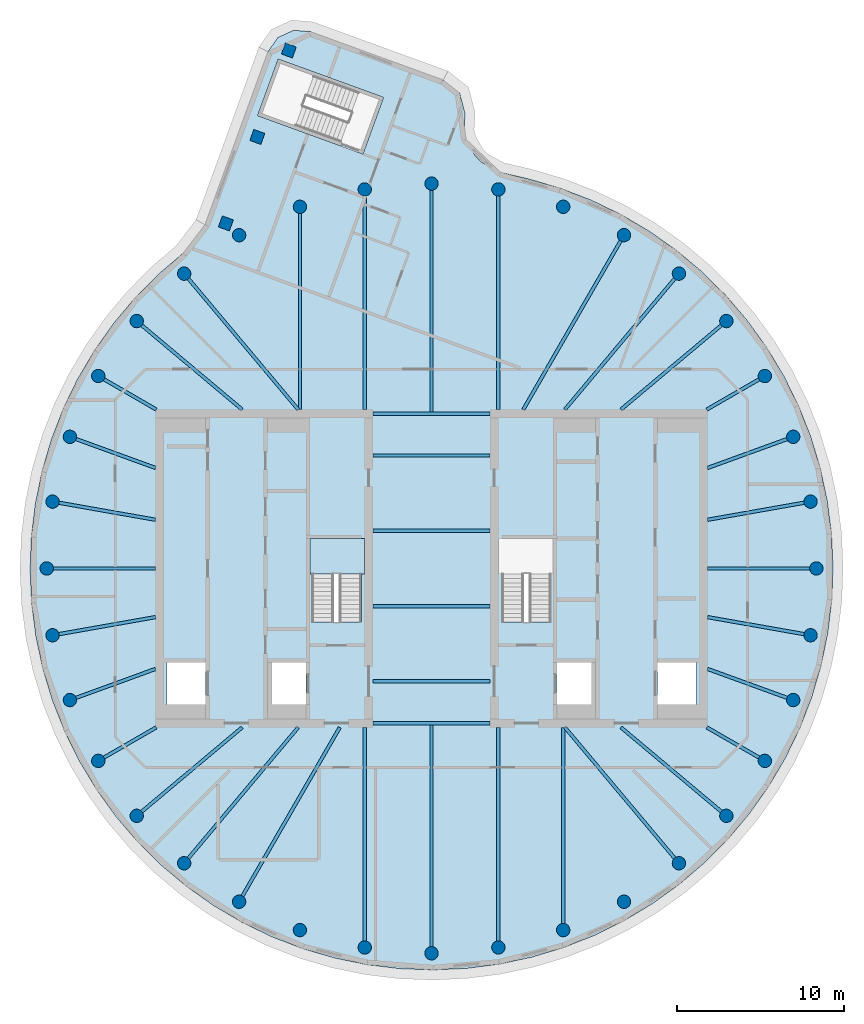
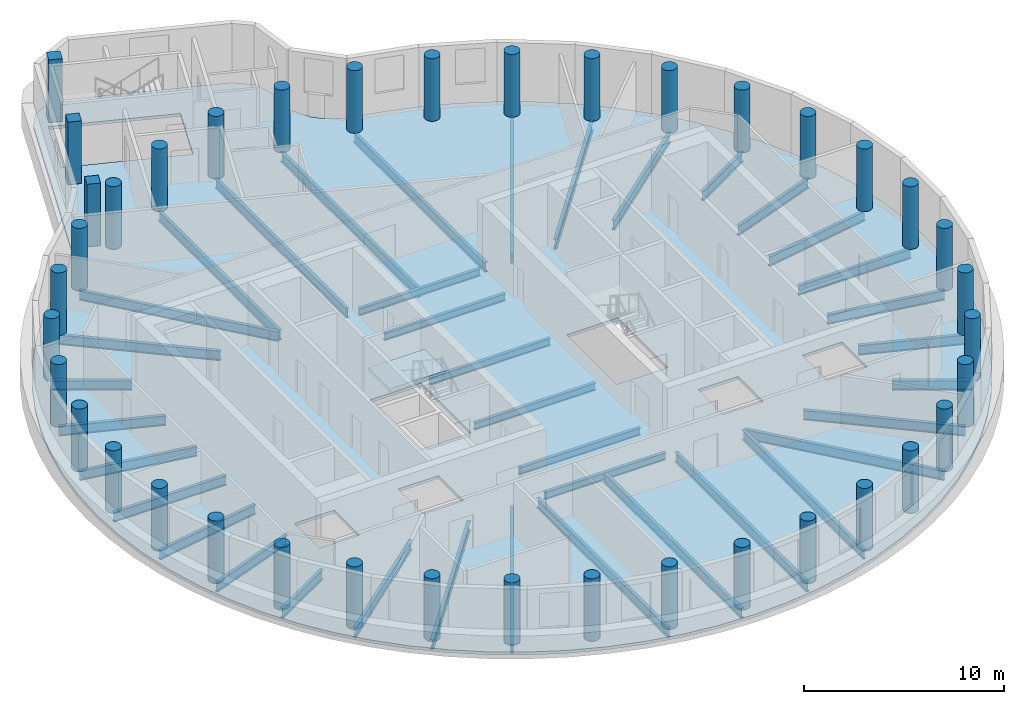
# One storey, part 1 of 7: 39 columns, 38 beams, 2 slabs, 1 element without a shape of its own.
"""IFC4 building model written with IfcOpenShell, lengths in metres."""

import ifcopenshell
import ifcopenshell.guid

model = None  # the IFC model being written
_history = None  # IfcOwnerHistory: only IFC2X3 demands one
_inside = {}  # id of a spatial element -> (the spatial element, [elements in it])
_under = {}  # id of a project, library or spatial element -> (it, [spatial elements below it])
_declared = {}  # id of a project -> (the project, [libraries it declares])
_typed = {}  # id of a type object -> (the type object, [elements of that type])
_made_of = {}  # id of a material, layer set ... -> (it, [elements and type objects made of it])


def new_model(schema):
    """Start an empty IFC model of exactly this schema.

    Asked for "IFC4X3", IfcOpenShell would pick the latest addendum, in which some entities
    have other attributes; the version numbers below select the first issue.
    IFC2X3 requires an IfcOwnerHistory on every rooted entity: one is made here for all.
    """
    global model, _history
    if schema == "IFC4X3":
        model = ifcopenshell.file(schema_version=(4, 3, 0, 0))
    else:
        model = ifcopenshell.file(schema=schema)
    _inside.clear()
    _under.clear()
    _declared.clear()
    _typed.clear()
    _made_of.clear()
    _history = None
    if model.schema == "IFC2X3":
        org = make("IfcOrganization", Name="unknown")
        user = make(
            "IfcPersonAndOrganization",
            ThePerson=make("IfcPerson", FamilyName="unknown"),
            TheOrganization=org,
        )
        app = make(
            "IfcApplication",
            ApplicationDeveloper=org,
            Version="unknown",
            ApplicationFullName="unknown",
            ApplicationIdentifier="unknown",
        )
        _history = make(
            "IfcOwnerHistory",
            OwningUser=user,
            OwningApplication=app,
            ChangeAction="ADDED",
            CreationDate=0,
        )
    return model


def make(cls, **values):
    """One entity of the class cls with the attributes given. An attribute that is None is left unset."""
    return model.create_entity(
        cls, **{name: value for name, value in values.items() if value is not None}
    )


def rooted(cls, **values):
    """An entity with a GlobalId (a new one), such as an element, a storey or a relation."""
    return make(cls, GlobalId=ifcopenshell.guid.new(), OwnerHistory=_history, **values)


def si_unit(unit_type, name, prefix=None):
    """IfcSIUnit, for example si_unit("LENGTHUNIT", "METRE", prefix="MILLI")."""
    return make("IfcSIUnit", UnitType=unit_type, Prefix=prefix, Name=name)


def assignment(units):
    """IfcUnitAssignment: the units of a project."""
    return None if units is None else make("IfcUnitAssignment", Units=units)


def point(xyz):
    """IfcCartesianPoint."""
    return None if xyz is None else make("IfcCartesianPoint", Coordinates=xyz)


def direction(xyz):
    """IfcDirection."""
    return None if xyz is None else make("IfcDirection", DirectionRatios=xyz)


def frame(location, z_axis=None, x_axis=None):
    """IfcAxis2Placement3D, a coordinate frame: its origin and axes. An axis left out is left unset."""
    return make(
        "IfcAxis2Placement3D",
        Location=point(location),
        Axis=direction(z_axis),
        RefDirection=direction(x_axis),
    )


def frame_2d(location, x_axis=None):
    """IfcAxis2Placement2D, a coordinate frame in the plane: its origin and x axis."""
    return make(
        "IfcAxis2Placement2D", Location=point(location), RefDirection=direction(x_axis)
    )


def origin():
    """The frame at (0, 0, 0) with its axes left unset."""
    return frame((0.0, 0.0, 0.0))


def origin_2d():
    """The frame at (0, 0) in the plane with its x axis left unset."""
    return frame_2d((0.0, 0.0))


def place(relative_to, where):
    """IfcLocalPlacement: puts the frame where relative to a parent placement (None: the world)."""
    return make(
        "IfcLocalPlacement", PlacementRelTo=relative_to, RelativePlacement=where
    )


def context(
    kind, dimensions, precision=None, world=None, true_north=None, identifier=None
):
    """IfcGeometricRepresentationContext, for example the 3D "Model" context."""
    return make(
        "IfcGeometricRepresentationContext",
        ContextIdentifier=identifier,
        ContextType=kind,
        CoordinateSpaceDimension=dimensions,
        Precision=precision,
        WorldCoordinateSystem=world,
        TrueNorth=true_north,
    )


def subcontext(parent, identifier, kind, view, scale=None):
    """IfcGeometricRepresentationSubContext, for example "Body" below "Model"."""
    return make(
        "IfcGeometricRepresentationSubContext",
        ContextIdentifier=identifier,
        ContextType=kind,
        ParentContext=parent,
        TargetScale=scale,
        TargetView=view,
    )


def project(units=None, contexts=None):
    """IfcProject with its units and contexts."""
    return rooted(
        "IfcProject",
        Name="project",
        RepresentationContexts=contexts,
        UnitsInContext=assignment(units),
    )


def spatial(cls, under=None, at=None, **own):
    """A site, building, storey or space (cls), placed at a placement, below another one or the project."""
    s = rooted(cls, ObjectPlacement=at, **own)
    if under is not None:
        _under.setdefault(under.id(), (under, []))[1].append(s)
    return s


def polyline(points):
    """IfcPolyline through the points."""
    return make("IfcPolyline", Points=[point(p) for p in points])


def profile(cls, at=None, kind="AREA", **sizes):
    """A parametric profile (cls). Its sizes go by their IFC names, for example OverallWidth=200.0."""
    return make(cls, ProfileType=kind, Position=at, **sizes)


def rectangle(**sizes):
    """IfcRectangleProfileDef."""
    return profile("IfcRectangleProfileDef", **sizes)


def circle(**sizes):
    """IfcCircleProfileDef."""
    return profile("IfcCircleProfileDef", **sizes)


def i_section(**sizes):
    """IfcIShapeProfileDef."""
    return profile("IfcIShapeProfileDef", **sizes)


def outline(outer, holes=None, kind="AREA"):
    """IfcArbitraryClosedProfileDef: a profile drawn as a closed curve; with holes, ...WithVoids."""
    if holes is None:
        return make("IfcArbitraryClosedProfileDef", ProfileType=kind, OuterCurve=outer)
    return make(
        "IfcArbitraryProfileDefWithVoids",
        ProfileType=kind,
        OuterCurve=outer,
        InnerCurves=holes,
    )


def extrude(swept, where, along, depth):
    """IfcExtrudedAreaSolid: the profile swept, set in the frame where, extruded along a direction by depth."""
    return make(
        "IfcExtrudedAreaSolid",
        SweptArea=swept,
        Position=where,
        ExtrudedDirection=direction(along),
        Depth=depth,
    )


def shape(context_of_items, identifier, shape_type, items):
    """IfcShapeRepresentation: the items that make up one representation, for example the "Body"."""
    return make(
        "IfcShapeRepresentation",
        ContextOfItems=context_of_items,
        RepresentationIdentifier=identifier,
        RepresentationType=shape_type,
        Items=items,
    )


def material(Name=None, Category=None):
    """IfcMaterial."""
    return make("IfcMaterial", Name=Name, Category=Category)


def layer(
    of_material, thickness, ventilated=None, Name=None, Category=None, Priority=None
):
    """IfcMaterialLayer: one layer of a wall or slab, of a material (None: an air gap)."""
    return make(
        "IfcMaterialLayer",
        Material=of_material,
        LayerThickness=thickness,
        IsVentilated=ventilated,
        Name=Name,
        Category=Category,
        Priority=Priority,
    )


def layer_set(layers, Name=None):
    """IfcMaterialLayerSet."""
    return make("IfcMaterialLayerSet", MaterialLayers=layers, LayerSetName=Name)


def material_profile(
    of_material, cross_section, Name=None, Category=None, Priority=None
):
    """IfcMaterialProfile: a cross section and its material."""
    return make(
        "IfcMaterialProfile",
        Name=Name,
        Material=of_material,
        Profile=cross_section,
        Priority=Priority,
        Category=Category,
    )


def profile_set(profiles, Name=None, composite=None):
    """IfcMaterialProfileSet."""
    return make(
        "IfcMaterialProfileSet",
        Name=Name,
        MaterialProfiles=profiles,
        CompositeProfile=composite,
    )


def made_of(thing, what):
    """Note that an element or type object is made of a material, layer set ...; save() writes the relation."""
    if what is not None:
        _made_of.setdefault(what.id(), (what, []))[1].append(thing)
    return thing


def type_object(cls, material=None, **own):
    """A type object (cls), such as IfcWallType, which elements share."""
    return made_of(rooted(cls, **own), material)


def element(
    cls,
    number,
    at=None,
    inside=None,
    cuts=None,
    type_object=None,
    material=None,
    context=None,
    identifier="Body",
    shape_type=None,
    held_by="IfcProductDefinitionShape",
    body=None,
    shapes=None,
    **own,
):
    """One element of the class cls, such as IfcWall. Its Tag is "e" and its number.

    at: its placement. inside: the storey or other place that contains it. cuts: it is an
    opening in that element (IfcRelVoidsElement). A single representation is given by context,
    identifier, shape_type and body (its items); several are given by shapes. held_by: the class
    of the entity that holds the representations. save() writes the other relations.
    """
    e = rooted(cls, Tag="e%d" % number, ObjectPlacement=at, **own)
    if body is not None:
        shapes = [shape(context, identifier, shape_type, body)]
    if shapes is not None:
        e.Representation = make(held_by, Representations=shapes)
    if inside is not None:
        _inside.setdefault(inside.id(), (inside, []))[1].append(e)
    if cuts is not None:
        rooted(
            "IfcRelVoidsElement", RelatingBuildingElement=cuts, RelatedOpeningElement=e
        )
    if type_object is not None:
        _typed.setdefault(type_object.id(), (type_object, []))[1].append(e)
    return made_of(e, material)


def aggregate(whole, parts):
    """IfcRelAggregates: a whole, such as a stair, and the parts it consists of."""
    return rooted("IfcRelAggregates", RelatingObject=whole, RelatedObjects=parts)


def save(model, path):
    """Write the relations noted so far, then the file.

    IfcRelAggregates (storeys below a building ...), IfcRelContainedInSpatialStructure (elements
    in a storey), IfcRelDefinesByType, IfcRelAssociatesMaterial and IfcRelDeclares: one each for
    every whole, place, type object, material and project.
    """
    for whole, parts in _under.values():
        aggregate(whole, parts)
    for where, things in _inside.values():
        rooted(
            "IfcRelContainedInSpatialStructure",
            RelatedElements=things,
            RelatingStructure=where,
        )
    for kind, things in _typed.values():
        rooted("IfcRelDefinesByType", RelatedObjects=things, RelatingType=kind)
    for what, things in _made_of.values():
        rooted("IfcRelAssociatesMaterial", RelatedObjects=things, RelatingMaterial=what)
    for by, libraries in _declared.values():
        rooted("IfcRelDeclares", RelatingContext=by, RelatedDefinitions=libraries)
    model.write(path)


model = new_model("IFC4")

# Units and contexts
model_context = context("Model", 3, precision=1e-05, world=origin(), true_north=direction((0.0, 1.0)))
body_context = subcontext(model_context, "Body", "Model", "MODEL_VIEW")
ifc_project = project(units=[si_unit("LENGTHUNIT", "METRE"), si_unit("AREAUNIT", "SQUARE_METRE"), si_unit("VOLUMEUNIT", "CUBIC_METRE"), si_unit("PLANEANGLEUNIT", "RADIAN"), si_unit("MASSUNIT", "GRAM", prefix="KILO")], contexts=[model_context])

# Site, building, storey
site_placement = place(None, origin())
site = spatial("IfcSite", under=ifc_project, at=site_placement, CompositionType="ELEMENT")
building_placement = place(site_placement, origin())
building = spatial("IfcBuilding", under=site, at=building_placement, Name="Tamarind Cross Interchange Tower", CompositionType="ELEMENT")
storey_placement = place(building_placement, frame((0.0, 0.0, 313.39990234375)))
storey = spatial("IfcBuildingStorey", under=building, at=storey_placement, Name="L77", CompositionType="ELEMENT", Elevation=313.39990234375)

# Columns
ifc_material_1 = material(Name="Concrete C45", Category="concrete")
ifc_material_profile_1 = material_profile(ifc_material_1, rectangle(XDim=0.699951171875, YDim=0.699951171875, at=origin_2d()), Name="RC 700x700")
ifc_profile_set_1 = profile_set([ifc_material_profile_1], Name="Concrete C45")
column_type_1 = type_object("IfcColumnType", Name="Column RC 700x700 Concrete C45", PredefinedType="COLUMN", material=ifc_profile_set_1)
for number, where, z_axis, x_axis, name in (
    (1, (-8.530029296875, 30.957275390625, -0.179931640625), (0.0, 0.0, 1.0), (0.341993902024, 0.939702171424, 0.0), "Column L77-047"),
    (2, (-10.4111328125, 25.7890625, -0.179931640625), (0.0, 0.0, 1.0), (0.341993902024, 0.939702171424, 0.0), "Column L77-048"),
    (3, (-12.2919921875, 20.62060546875, -0.179931640625), (0.0, 0.0, 1.0), (0.341993902024, 0.939702171424, 0.0), "Column L77-049"),
):
    element("IfcColumn", number, at=place(storey_placement, frame(where, z_axis=z_axis, x_axis=x_axis)), inside=storey, type_object=column_type_1, Name=name, PredefinedType="COLUMN", context=body_context, shape_type="SweptSolid", body=[
        extrude(rectangle(XDim=0.699951171875, YDim=0.699951171875, at=origin_2d()), origin(), (0.0, 0.0, 1.0), 4.0),
    ])
ifc_material_profile_2 = material_profile(ifc_material_1, circle(Radius=0.39990234375, at=origin_2d()), Name="RC D800")
ifc_profile_set_2 = profile_set([ifc_material_profile_2], Name="Concrete C45")
column_type_2 = type_object("IfcColumnType", Name="Column RC D800 Concrete C45", PredefinedType="COLUMN", material=ifc_profile_set_2)
for number, where, z_axis, x_axis, name in (
    (4, (23.0, 0.0, -0.179931640625), (0.0, 0.0, 1.0), (1.0, 0.0, 0.0), "Column L77-000"),
    (5, (22.650634765625, 3.993896484375, -0.179931640625), (0.0, 0.0, 1.0), (1.0, 0.0, 0.0), "Column L77-001"),
    (6, (21.613037109375, 7.866455078125, -0.179931640625), (0.0, 0.0, 1.0), (1.0, 0.0, 0.0), "Column L77-002"),
    (7, (19.918701171875, 11.5, -0.179931640625), (0.0, 0.0, 1.0), (1.0, 0.0, 0.0), "Column L77-003"),
    (8, (17.619140625, 14.7841796875, -0.179931640625), (0.0, 0.0, 1.0), (1.0, 0.0, 0.0), "Column L77-004"),
    (9, (14.7841796875, 17.619140625, -0.179931640625), (0.0, 0.0, 1.0), (1.0, 0.0, 0.0), "Column L77-005"),
    (10, (11.5, 19.918701171875, -0.179931640625), (0.0, 0.0, 1.0), (1.0, 0.0, 0.0), "Column L77-006"),
    (11, (7.866455078125, 21.613037109375, -0.179931640625), (0.0, 0.0, 1.0), (1.0, 0.0, 0.0), "Column L77-007"),
    (12, (3.993896484375, 22.650634765625, -0.179931640625), (0.0, 0.0, 1.0), (1.0, 0.0, 0.0), "Column L77-008"),
    (13, (0.0, 23.0, -0.179931640625), (0.0, 0.0, 1.0), (1.0, 0.0, 0.0), "Column L77-009"),
    (14, (-3.993896484375, 22.650634765625, -0.179931640625), (0.0, 0.0, 1.0), (1.0, 0.0, 0.0), "Column L77-010"),
    (15, (-7.866455078125, 21.613037109375, -0.179931640625), (0.0, 0.0, 1.0), (1.0, 0.0, 0.0), "Column L77-011"),
    (16, (-11.5, 19.918701171875, -0.179931640625), (0.0, 0.0, 1.0), (1.0, 0.0, 0.0), "Column L77-012"),
    (17, (-14.7841796875, 17.619140625, -0.179931640625), (0.0, 0.0, 1.0), (1.0, 0.0, 0.0), "Column L77-013"),
    (18, (-17.619140625, 14.7841796875, -0.179931640625), (0.0, 0.0, 1.0), (1.0, 0.0, 0.0), "Column L77-014"),
    (19, (-19.918701171875, 11.5, -0.179931640625), (0.0, 0.0, 1.0), (1.0, 0.0, 0.0), "Column L77-015"),
    (20, (-21.613037109375, 7.866455078125, -0.179931640625), (0.0, 0.0, 1.0), (1.0, 0.0, 0.0), "Column L77-016"),
    (21, (-22.650634765625, 3.993896484375, -0.179931640625), (0.0, 0.0, 1.0), (1.0, 0.0, 0.0), "Column L77-017"),
    (22, (-23.0, 0.0, -0.179931640625), (0.0, 0.0, 1.0), (1.0, 0.0, 0.0), "Column L77-018"),
    (23, (-22.650634765625, -3.993896484375, -0.179931640625), (0.0, 0.0, 1.0), (1.0, 0.0, 0.0), "Column L77-019"),
    (24, (-21.613037109375, -7.866455078125, -0.179931640625), (0.0, 0.0, 1.0), (1.0, 0.0, 0.0), "Column L77-020"),
    (25, (-19.918701171875, -11.5, -0.179931640625), (0.0, 0.0, 1.0), (1.0, 0.0, 0.0), "Column L77-021"),
    (26, (-17.619140625, -14.7841796875, -0.179931640625), (0.0, 0.0, 1.0), (1.0, 0.0, 0.0), "Column L77-022"),
    (27, (-14.7841796875, -17.619140625, -0.179931640625), (0.0, 0.0, 1.0), (1.0, 0.0, 0.0), "Column L77-023"),
    (28, (-11.5, -19.918701171875, -0.179931640625), (0.0, 0.0, 1.0), (1.0, 0.0, 0.0), "Column L77-024"),
    (29, (-7.866455078125, -21.613037109375, -0.179931640625), (0.0, 0.0, 1.0), (1.0, 0.0, 0.0), "Column L77-025"),
    (30, (-3.993896484375, -22.650634765625, -0.179931640625), (0.0, 0.0, 1.0), (1.0, 0.0, 0.0), "Column L77-026"),
    (31, (0.0, -23.0, -0.179931640625), (0.0, 0.0, 1.0), (1.0, 0.0, 0.0), "Column L77-027"),
    (32, (3.993896484375, -22.650634765625, -0.179931640625), (0.0, 0.0, 1.0), (1.0, 0.0, 0.0), "Column L77-028"),
    (33, (7.866455078125, -21.613037109375, -0.179931640625), (0.0, 0.0, 1.0), (1.0, 0.0, 0.0), "Column L77-029"),
    (34, (11.5, -19.918701171875, -0.179931640625), (0.0, 0.0, 1.0), (1.0, 0.0, 0.0), "Column L77-030"),
    (35, (14.7841796875, -17.619140625, -0.179931640625), (0.0, 0.0, 1.0), (1.0, 0.0, 0.0), "Column L77-031"),
    (36, (17.619140625, -14.7841796875, -0.179931640625), (0.0, 0.0, 1.0), (1.0, 0.0, 0.0), "Column L77-032"),
    (37, (19.918701171875, -11.5, -0.179931640625), (0.0, 0.0, 1.0), (1.0, 0.0, 0.0), "Column L77-033"),
    (38, (21.613037109375, -7.866455078125, -0.179931640625), (0.0, 0.0, 1.0), (1.0, 0.0, 0.0), "Column L77-034"),
    (39, (22.650634765625, -3.993896484375, -0.179931640625), (0.0, 0.0, 1.0), (1.0, 0.0, 0.0), "Column L77-035"),
):
    element("IfcColumn", number, at=place(storey_placement, frame(where, z_axis=z_axis, x_axis=x_axis)), inside=storey, type_object=column_type_2, Name=name, PredefinedType="COLUMN", context=body_context, shape_type="SweptSolid", body=[
        extrude(circle(Radius=0.39990234375, at=origin_2d()), origin(), (0.0, 0.0, 1.0), 4.0),
    ])

# Beams
ifc_material_2 = material(Name="Steel Q355B", Category="steel")
ifc_material_profile_3 = material_profile(ifc_material_2, i_section(OverallWidth=0.198974609375, OverallDepth=0.446044921875, WebThickness=0.008056640625, FlangeThickness=0.011962890625, FilletRadius=0.012939453125, at=origin_2d()), Name="HN 446x199x8x12")
ifc_profile_set_3 = profile_set([ifc_material_profile_3], Name="Steel Q355B")
beam_type_1 = type_object("IfcBeamType", Name="Composite beam HN 446x199x8x12 Q355B", PredefinedType="BEAM", material=ifc_profile_set_3)
for number, where, z_axis, x_axis, name in (
    (40, (-3.5, -2.25, -0.40283203125), (1.0, 0.0, 0.0), (0.0, 1.0, 0.0), "Beam G-2.25"),
    (41, (-3.5, -6.75, -0.40283203125), (1.0, 0.0, 0.0), (0.0, 1.0, 0.0), "Beam G-6.75"),
    (42, (-3.5, -9.25, -0.40283203125), (1.0, 0.0, 0.0), (0.0, 1.0, 0.0), "Beam G-9.25"),
    (43, (-3.5, 2.25, -0.40283203125), (1.0, 0.0, 0.0), (0.0, 1.0, 0.0), "Beam G2.25"),
    (44, (-3.5, 6.75, -0.40283203125), (1.0, 0.0, 0.0), (0.0, 1.0, 0.0), "Beam G6.75"),
    (45, (-3.5, 9.25, -0.40283203125), (1.0, 0.0, 0.0), (0.0, 1.0, 0.0), "Beam G9.25"),
):
    element("IfcBeam", number, at=place(storey_placement, frame(where, z_axis=z_axis, x_axis=x_axis)), inside=storey, type_object=beam_type_1, Name=name, PredefinedType="BEAM", context=body_context, shape_type="SweptSolid", body=[
        extrude(i_section(OverallWidth=0.198974609375, OverallDepth=0.446044921875, WebThickness=0.008056640625, FlangeThickness=0.011962890625, FilletRadius=0.012939453125, at=origin_2d()), origin(), (0.0, 0.0, 1.0), 7.0),
    ])
ifc_material_profile_4 = material_profile(ifc_material_2, i_section(OverallWidth=0.198974609375, OverallDepth=0.595947265625, WebThickness=0.010009765625, FlangeThickness=0.014892578125, FilletRadius=0.012939453125, at=origin_2d()), Name="HN 596x199x10x15")
ifc_profile_set_4 = profile_set([ifc_material_profile_4], Name="Steel Q355B")
beam_type_2 = type_object("IfcBeamType", Name="Composite beam HN 596x199x10x15 Q355B", PredefinedType="BEAM", material=ifc_profile_set_4)
beam_1_placement = place(storey_placement, frame((23.0, 0.0, -0.477783203125), z_axis=(-1.0, 0.0, 0.0), x_axis=(0.0, -1.0, 0.0)))
element("IfcBeam", 46, at=beam_1_placement, inside=storey, type_object=beam_type_2, Name="Beam HH00", PredefinedType="BEAM", context=body_context, shape_type="SweptSolid", body=[
    extrude(i_section(OverallWidth=0.198974609375, OverallDepth=0.595947265625, WebThickness=0.010009765625, FlangeThickness=0.014892578125, FilletRadius=0.012939453125, at=origin_2d()), origin(), (0.0, 0.0, 1.0), 6.5),
])
beam_2_placement = place(storey_placement, frame((22.650634765625, 3.993896484375, -0.477783203125), z_axis=(-0.984809127561, -0.173640382036, 0.0), x_axis=(0.173640382036, -0.984809127561, 0.0)))
element("IfcBeam", 47, at=beam_2_placement, inside=storey, type_object=beam_type_2, Name="Beam HH01", PredefinedType="BEAM", context=body_context, shape_type="SweptSolid", body=[
    extrude(i_section(OverallWidth=0.198974609375, OverallDepth=0.595947265625, WebThickness=0.010009765625, FlangeThickness=0.014892578125, FilletRadius=0.012939453125, at=origin_2d()), origin(), (0.0, 0.0, 1.0), 6.24560546875),
])
beam_3_placement = place(storey_placement, frame((21.613037109375, 7.866455078125, -0.477783203125), z_axis=(-0.939701685589, -0.341995236956, 0.0), x_axis=(0.341995236956, -0.939701685589, 0.0)))
element("IfcBeam", 48, at=beam_3_placement, inside=storey, type_object=beam_type_2, Name="Beam HH02", PredefinedType="BEAM", context=body_context, shape_type="SweptSolid", body=[
    extrude(i_section(OverallWidth=0.198974609375, OverallDepth=0.595947265625, WebThickness=0.010009765625, FlangeThickness=0.014892578125, FilletRadius=0.012939453125, at=origin_2d()), origin(), (0.0, 0.0, 1.0), 5.441162109375),
])
beam_4_placement = place(storey_placement, frame((19.918701171875, 11.5, -0.477783203125), z_axis=(-0.866026010844, -0.49999894854, 0.0), x_axis=(0.49999894854, -0.866026010844, 0.0)))
element("IfcBeam", 49, at=beam_4_placement, inside=storey, type_object=beam_type_2, Name="Beam HH03", PredefinedType="BEAM", context=body_context, shape_type="SweptSolid", body=[
    extrude(i_section(OverallWidth=0.198974609375, OverallDepth=0.595947265625, WebThickness=0.010009765625, FlangeThickness=0.014892578125, FilletRadius=0.012939453125, at=origin_2d()), origin(), (0.0, 0.0, 1.0), 4.0),
])
beam_5_placement = place(storey_placement, frame((17.619140625, 14.7841796875, -0.477783203125), z_axis=(-0.766040580814, -0.642792212574, 0.0), x_axis=(0.642792212574, -0.766040580814, 0.0)))
element("IfcBeam", 50, at=beam_5_placement, inside=storey, type_object=beam_type_2, Name="Beam HH04", PredefinedType="BEAM", context=body_context, shape_type="SweptSolid", body=[
    extrude(i_section(OverallWidth=0.198974609375, OverallDepth=0.595947265625, WebThickness=0.010009765625, FlangeThickness=0.014892578125, FilletRadius=0.012939453125, at=origin_2d()), origin(), (0.0, 0.0, 1.0), 8.220703125),
])
beam_6_placement = place(storey_placement, frame((14.7841796875, 17.619140625, -0.477783203125), z_axis=(-0.642786293979, -0.766045547127, 0.0), x_axis=(0.766045547127, -0.642786293979, 0.0)))
element("IfcBeam", 51, at=beam_6_placement, inside=storey, type_object=beam_type_2, Name="Beam HH05", PredefinedType="BEAM", context=body_context, shape_type="SweptSolid", body=[
    extrude(i_section(OverallWidth=0.198974609375, OverallDepth=0.595947265625, WebThickness=0.010009765625, FlangeThickness=0.014892578125, FilletRadius=0.012939453125, at=origin_2d()), origin(), (0.0, 0.0, 1.0), 10.598876953125),
])
beam_7_placement = place(storey_placement, frame((11.5, 19.918701171875, -0.477783203125), z_axis=(-0.499993565836, -0.866029118519, 0.0), x_axis=(0.866029118519, -0.499993565836, 0.0)))
element("IfcBeam", 52, at=beam_7_placement, inside=storey, type_object=beam_type_2, Name="Beam HH06", PredefinedType="BEAM", context=body_context, shape_type="SweptSolid", body=[
    extrude(i_section(OverallWidth=0.198974609375, OverallDepth=0.595947265625, WebThickness=0.010009765625, FlangeThickness=0.014892578125, FilletRadius=0.012939453125, at=origin_2d()), origin(), (0.0, 0.0, 1.0), 12.030517578125),
])
beam_8_placement = place(storey_placement, frame((3.993896484375, 22.650634765625, -0.477783203125), z_axis=(0.0, -1.0, 0.0), x_axis=(1.0, 0.0, 0.0)))
element("IfcBeam", 53, at=beam_8_placement, inside=storey, type_object=beam_type_2, Name="Beam HH08", PredefinedType="BEAM", context=body_context, shape_type="SweptSolid", body=[
    extrude(i_section(OverallWidth=0.198974609375, OverallDepth=0.595947265625, WebThickness=0.010009765625, FlangeThickness=0.014892578125, FilletRadius=0.012939453125, at=origin_2d()), origin(), (0.0, 0.0, 1.0), 13.150634765625),
])
beam_9_placement = place(storey_placement, frame((0.0, 23.0, -0.477783203125), z_axis=(0.0, -1.0, 0.0), x_axis=(1.0, 0.0, 0.0)))
element("IfcBeam", 54, at=beam_9_placement, inside=storey, type_object=beam_type_2, Name="Beam HH09", PredefinedType="BEAM", context=body_context, shape_type="SweptSolid", body=[
    extrude(i_section(OverallWidth=0.198974609375, OverallDepth=0.595947265625, WebThickness=0.010009765625, FlangeThickness=0.014892578125, FilletRadius=0.012939453125, at=origin_2d()), origin(), (0.0, 0.0, 1.0), 13.75),
])
beam_10_placement = place(storey_placement, frame((-3.993896484375, 22.650634765625, -0.477783203125), z_axis=(0.0, -1.0, 0.0), x_axis=(1.0, 0.0, 0.0)))
element("IfcBeam", 55, at=beam_10_placement, inside=storey, type_object=beam_type_2, Name="Beam HH10", PredefinedType="BEAM", context=body_context, shape_type="SweptSolid", body=[
    extrude(i_section(OverallWidth=0.198974609375, OverallDepth=0.595947265625, WebThickness=0.010009765625, FlangeThickness=0.014892578125, FilletRadius=0.012939453125, at=origin_2d()), origin(), (0.0, 0.0, 1.0), 13.150634765625),
])
beam_11_placement = place(storey_placement, frame((-7.866455078125, 21.613037109375, -0.477783203125), z_axis=(0.0, -1.0, 0.0), x_axis=(1.0, 0.0, 0.0)))
element("IfcBeam", 56, at=beam_11_placement, inside=storey, type_object=beam_type_2, Name="Beam HH11", PredefinedType="BEAM", context=body_context, shape_type="SweptSolid", body=[
    extrude(i_section(OverallWidth=0.198974609375, OverallDepth=0.595947265625, WebThickness=0.010009765625, FlangeThickness=0.014892578125, FilletRadius=0.012939453125, at=origin_2d()), origin(), (0.0, 0.0, 1.0), 12.113037109375),
])
beam_12_placement = place(storey_placement, frame((-14.7841796875, 17.619140625, -0.477783203125), z_axis=(0.642786293979, -0.766045547127, 0.0), x_axis=(0.766045547127, 0.642786293979, 0.0)))
element("IfcBeam", 57, at=beam_12_placement, inside=storey, type_object=beam_type_2, Name="Beam HH13", PredefinedType="BEAM", context=body_context, shape_type="SweptSolid", body=[
    extrude(i_section(OverallWidth=0.198974609375, OverallDepth=0.595947265625, WebThickness=0.010009765625, FlangeThickness=0.014892578125, FilletRadius=0.012939453125, at=origin_2d()), origin(), (0.0, 0.0, 1.0), 10.598876953125),
])
beam_13_placement = place(storey_placement, frame((-17.619140625, 14.7841796875, -0.477783203125), z_axis=(0.766040580814, -0.642792212574, 0.0), x_axis=(0.642792212574, 0.766040580814, 0.0)))
element("IfcBeam", 58, at=beam_13_placement, inside=storey, type_object=beam_type_2, Name="Beam HH14", PredefinedType="BEAM", context=body_context, shape_type="SweptSolid", body=[
    extrude(i_section(OverallWidth=0.198974609375, OverallDepth=0.595947265625, WebThickness=0.010009765625, FlangeThickness=0.014892578125, FilletRadius=0.012939453125, at=origin_2d()), origin(), (0.0, 0.0, 1.0), 8.220703125),
])
beam_14_placement = place(storey_placement, frame((-19.918701171875, 11.5, -0.477783203125), z_axis=(0.866026010844, -0.49999894854, 0.0), x_axis=(0.49999894854, 0.866026010844, 0.0)))
element("IfcBeam", 59, at=beam_14_placement, inside=storey, type_object=beam_type_2, Name="Beam HH15", PredefinedType="BEAM", context=body_context, shape_type="SweptSolid", body=[
    extrude(i_section(OverallWidth=0.198974609375, OverallDepth=0.595947265625, WebThickness=0.010009765625, FlangeThickness=0.014892578125, FilletRadius=0.012939453125, at=origin_2d()), origin(), (0.0, 0.0, 1.0), 4.0),
])
beam_15_placement = place(storey_placement, frame((-21.613037109375, 7.866455078125, -0.477783203125), z_axis=(0.939701685589, -0.341995236956, 0.0), x_axis=(0.341995236956, 0.939701685589, 0.0)))
element("IfcBeam", 60, at=beam_15_placement, inside=storey, type_object=beam_type_2, Name="Beam HH16", PredefinedType="BEAM", context=body_context, shape_type="SweptSolid", body=[
    extrude(i_section(OverallWidth=0.198974609375, OverallDepth=0.595947265625, WebThickness=0.010009765625, FlangeThickness=0.014892578125, FilletRadius=0.012939453125, at=origin_2d()), origin(), (0.0, 0.0, 1.0), 5.441162109375),
])
beam_16_placement = place(storey_placement, frame((-22.650634765625, 3.993896484375, -0.477783203125), z_axis=(0.984809127561, -0.173640382036, 0.0), x_axis=(0.173640382036, 0.984809127561, 0.0)))
element("IfcBeam", 61, at=beam_16_placement, inside=storey, type_object=beam_type_2, Name="Beam HH17", PredefinedType="BEAM", context=body_context, shape_type="SweptSolid", body=[
    extrude(i_section(OverallWidth=0.198974609375, OverallDepth=0.595947265625, WebThickness=0.010009765625, FlangeThickness=0.014892578125, FilletRadius=0.012939453125, at=origin_2d()), origin(), (0.0, 0.0, 1.0), 6.24560546875),
])
beam_17_placement = place(storey_placement, frame((-23.0, 0.0, -0.477783203125), z_axis=(1.0, 0.0, 0.0), x_axis=(0.0, 1.0, 0.0)))
element("IfcBeam", 62, at=beam_17_placement, inside=storey, type_object=beam_type_2, Name="Beam HH18", PredefinedType="BEAM", context=body_context, shape_type="SweptSolid", body=[
    extrude(i_section(OverallWidth=0.198974609375, OverallDepth=0.595947265625, WebThickness=0.010009765625, FlangeThickness=0.014892578125, FilletRadius=0.012939453125, at=origin_2d()), origin(), (0.0, 0.0, 1.0), 6.5),
])
beam_18_placement = place(storey_placement, frame((-22.650634765625, -3.993896484375, -0.477783203125), z_axis=(0.984809127561, 0.173640382036, 0.0), x_axis=(-0.173640382036, 0.984809127561, 0.0)))
element("IfcBeam", 63, at=beam_18_placement, inside=storey, type_object=beam_type_2, Name="Beam HH19", PredefinedType="BEAM", context=body_context, shape_type="SweptSolid", body=[
    extrude(i_section(OverallWidth=0.198974609375, OverallDepth=0.595947265625, WebThickness=0.010009765625, FlangeThickness=0.014892578125, FilletRadius=0.012939453125, at=origin_2d()), origin(), (0.0, 0.0, 1.0), 6.24560546875),
])
beam_19_placement = place(storey_placement, frame((-21.613037109375, -7.866455078125, -0.477783203125), z_axis=(0.939701685589, 0.341995236956, 0.0), x_axis=(-0.341995236956, 0.939701685589, 0.0)))
element("IfcBeam", 64, at=beam_19_placement, inside=storey, type_object=beam_type_2, Name="Beam HH20", PredefinedType="BEAM", context=body_context, shape_type="SweptSolid", body=[
    extrude(i_section(OverallWidth=0.198974609375, OverallDepth=0.595947265625, WebThickness=0.010009765625, FlangeThickness=0.014892578125, FilletRadius=0.012939453125, at=origin_2d()), origin(), (0.0, 0.0, 1.0), 5.441162109375),
])
beam_20_placement = place(storey_placement, frame((-19.918701171875, -11.5, -0.477783203125), z_axis=(0.866026010844, 0.49999894854, 0.0), x_axis=(-0.49999894854, 0.866026010844, 0.0)))
element("IfcBeam", 65, at=beam_20_placement, inside=storey, type_object=beam_type_2, Name="Beam HH21", PredefinedType="BEAM", context=body_context, shape_type="SweptSolid", body=[
    extrude(i_section(OverallWidth=0.198974609375, OverallDepth=0.595947265625, WebThickness=0.010009765625, FlangeThickness=0.014892578125, FilletRadius=0.012939453125, at=origin_2d()), origin(), (0.0, 0.0, 1.0), 4.0),
])
beam_21_placement = place(storey_placement, frame((-17.619140625, -14.7841796875, -0.477783203125), z_axis=(0.766040580814, 0.642792212574, 0.0), x_axis=(-0.642792212574, 0.766040580814, 0.0)))
element("IfcBeam", 66, at=beam_21_placement, inside=storey, type_object=beam_type_2, Name="Beam HH22", PredefinedType="BEAM", context=body_context, shape_type="SweptSolid", body=[
    extrude(i_section(OverallWidth=0.198974609375, OverallDepth=0.595947265625, WebThickness=0.010009765625, FlangeThickness=0.014892578125, FilletRadius=0.012939453125, at=origin_2d()), origin(), (0.0, 0.0, 1.0), 8.220703125),
])
beam_22_placement = place(storey_placement, frame((-14.7841796875, -17.619140625, -0.477783203125), z_axis=(0.642786293979, 0.766045547127, 0.0), x_axis=(-0.766045547127, 0.642786293979, 0.0)))
element("IfcBeam", 67, at=beam_22_placement, inside=storey, type_object=beam_type_2, Name="Beam HH23", PredefinedType="BEAM", context=body_context, shape_type="SweptSolid", body=[
    extrude(i_section(OverallWidth=0.198974609375, OverallDepth=0.595947265625, WebThickness=0.010009765625, FlangeThickness=0.014892578125, FilletRadius=0.012939453125, at=origin_2d()), origin(), (0.0, 0.0, 1.0), 10.598876953125),
])
beam_23_placement = place(storey_placement, frame((-11.5, -19.918701171875, -0.477783203125), z_axis=(0.499993565836, 0.866029118519, 0.0), x_axis=(-0.866029118519, 0.499993565836, 0.0)))
element("IfcBeam", 68, at=beam_23_placement, inside=storey, type_object=beam_type_2, Name="Beam HH24", PredefinedType="BEAM", context=body_context, shape_type="SweptSolid", body=[
    extrude(i_section(OverallWidth=0.198974609375, OverallDepth=0.595947265625, WebThickness=0.010009765625, FlangeThickness=0.014892578125, FilletRadius=0.012939453125, at=origin_2d()), origin(), (0.0, 0.0, 1.0), 12.030517578125),
])
beam_24_placement = place(storey_placement, frame((-3.993896484375, -22.650634765625, -0.477783203125), z_axis=(0.0, 1.0, 0.0), x_axis=(-1.0, 0.0, 0.0)))
element("IfcBeam", 69, at=beam_24_placement, inside=storey, type_object=beam_type_2, Name="Beam HH26", PredefinedType="BEAM", context=body_context, shape_type="SweptSolid", body=[
    extrude(i_section(OverallWidth=0.198974609375, OverallDepth=0.595947265625, WebThickness=0.010009765625, FlangeThickness=0.014892578125, FilletRadius=0.012939453125, at=origin_2d()), origin(), (0.0, 0.0, 1.0), 13.150634765625),
])
beam_25_placement = place(storey_placement, frame((0.0, -23.0, -0.477783203125), z_axis=(0.0, 1.0, 0.0), x_axis=(-1.0, 0.0, 0.0)))
element("IfcBeam", 70, at=beam_25_placement, inside=storey, type_object=beam_type_2, Name="Beam HH27", PredefinedType="BEAM", context=body_context, shape_type="SweptSolid", body=[
    extrude(i_section(OverallWidth=0.198974609375, OverallDepth=0.595947265625, WebThickness=0.010009765625, FlangeThickness=0.014892578125, FilletRadius=0.012939453125, at=origin_2d()), origin(), (0.0, 0.0, 1.0), 13.75),
])
beam_26_placement = place(storey_placement, frame((3.993896484375, -22.650634765625, -0.477783203125), z_axis=(0.0, 1.0, 0.0), x_axis=(-1.0, 0.0, 0.0)))
element("IfcBeam", 71, at=beam_26_placement, inside=storey, type_object=beam_type_2, Name="Beam HH28", PredefinedType="BEAM", context=body_context, shape_type="SweptSolid", body=[
    extrude(i_section(OverallWidth=0.198974609375, OverallDepth=0.595947265625, WebThickness=0.010009765625, FlangeThickness=0.014892578125, FilletRadius=0.012939453125, at=origin_2d()), origin(), (0.0, 0.0, 1.0), 13.150634765625),
])
beam_27_placement = place(storey_placement, frame((7.866455078125, -21.613037109375, -0.477783203125), z_axis=(0.0, 1.0, 0.0), x_axis=(-1.0, 0.0, 0.0)))
element("IfcBeam", 72, at=beam_27_placement, inside=storey, type_object=beam_type_2, Name="Beam HH29", PredefinedType="BEAM", context=body_context, shape_type="SweptSolid", body=[
    extrude(i_section(OverallWidth=0.198974609375, OverallDepth=0.595947265625, WebThickness=0.010009765625, FlangeThickness=0.014892578125, FilletRadius=0.012939453125, at=origin_2d()), origin(), (0.0, 0.0, 1.0), 12.113037109375),
])
beam_28_placement = place(storey_placement, frame((14.7841796875, -17.619140625, -0.477783203125), z_axis=(-0.642786293979, 0.766045547127, 0.0), x_axis=(-0.766045547127, -0.642786293979, 0.0)))
element("IfcBeam", 73, at=beam_28_placement, inside=storey, type_object=beam_type_2, Name="Beam HH31", PredefinedType="BEAM", context=body_context, shape_type="SweptSolid", body=[
    extrude(i_section(OverallWidth=0.198974609375, OverallDepth=0.595947265625, WebThickness=0.010009765625, FlangeThickness=0.014892578125, FilletRadius=0.012939453125, at=origin_2d()), origin(), (0.0, 0.0, 1.0), 10.598876953125),
])
beam_29_placement = place(storey_placement, frame((17.619140625, -14.7841796875, -0.477783203125), z_axis=(-0.766040580814, 0.642792212574, 0.0), x_axis=(-0.642792212574, -0.766040580814, 0.0)))
element("IfcBeam", 74, at=beam_29_placement, inside=storey, type_object=beam_type_2, Name="Beam HH32", PredefinedType="BEAM", context=body_context, shape_type="SweptSolid", body=[
    extrude(i_section(OverallWidth=0.198974609375, OverallDepth=0.595947265625, WebThickness=0.010009765625, FlangeThickness=0.014892578125, FilletRadius=0.012939453125, at=origin_2d()), origin(), (0.0, 0.0, 1.0), 8.220703125),
])
beam_30_placement = place(storey_placement, frame((19.918701171875, -11.5, -0.477783203125), z_axis=(-0.866026010844, 0.49999894854, 0.0), x_axis=(-0.49999894854, -0.866026010844, 0.0)))
element("IfcBeam", 75, at=beam_30_placement, inside=storey, type_object=beam_type_2, Name="Beam HH33", PredefinedType="BEAM", context=body_context, shape_type="SweptSolid", body=[
    extrude(i_section(OverallWidth=0.198974609375, OverallDepth=0.595947265625, WebThickness=0.010009765625, FlangeThickness=0.014892578125, FilletRadius=0.012939453125, at=origin_2d()), origin(), (0.0, 0.0, 1.0), 4.0),
])
beam_31_placement = place(storey_placement, frame((21.613037109375, -7.866455078125, -0.477783203125), z_axis=(-0.939701685589, 0.341995236956, 0.0), x_axis=(-0.341995236956, -0.939701685589, 0.0)))
element("IfcBeam", 76, at=beam_31_placement, inside=storey, type_object=beam_type_2, Name="Beam HH34", PredefinedType="BEAM", context=body_context, shape_type="SweptSolid", body=[
    extrude(i_section(OverallWidth=0.198974609375, OverallDepth=0.595947265625, WebThickness=0.010009765625, FlangeThickness=0.014892578125, FilletRadius=0.012939453125, at=origin_2d()), origin(), (0.0, 0.0, 1.0), 5.441162109375),
])
beam_32_placement = place(storey_placement, frame((22.650634765625, -3.993896484375, -0.477783203125), z_axis=(-0.984809127561, 0.173640382036, 0.0), x_axis=(-0.173640382036, -0.984809127561, 0.0)))
element("IfcBeam", 77, at=beam_32_placement, inside=storey, type_object=beam_type_2, Name="Beam HH35", PredefinedType="BEAM", context=body_context, shape_type="SweptSolid", body=[
    extrude(i_section(OverallWidth=0.198974609375, OverallDepth=0.595947265625, WebThickness=0.010009765625, FlangeThickness=0.014892578125, FilletRadius=0.012939453125, at=origin_2d()), origin(), (0.0, 0.0, 1.0), 6.24560546875),
])

# Slab
ifc_material_3 = material(Name="Concrete C40", Category="concrete")
ifc_layer_1 = layer(ifc_material_3, 0.179931640625)
ifc_layer_set_1 = layer_set([ifc_layer_1], Name="Concrete C40")
slab_type_1 = type_object("IfcSlabType", Name="Composite slab 180 Concrete C40", PredefinedType="FLOOR", material=ifc_layer_set_1)
slab_1_placement = place(storey_placement, frame((0.0, 0.0, -0.179931640625)))
element("IfcSlab", 78, at=slab_1_placement, inside=storey, type_object=slab_type_1, Name="Floor slab L77", PredefinedType="FLOOR", context=body_context, shape_type="SweptSolid", body=[
    extrude(outline(polyline([(-9.18798828125, 31.72900390625), (-9.78173828125, 30.880859375), (-13.54248046875, 20.54736328125), (-14.847900390625, 18.848876953125), (-16.327880859375, 17.584228515625), (-17.72412109375, 16.17578125), (-18.99951171875, 14.656982421875), (-20.14501953125, 13.0380859375), (-21.15283203125, 11.329833984375), (-22.01611328125, 9.54443359375), (-22.72900390625, 7.693603515625), (-23.286865234375, 5.79052734375), (-23.685546875, 3.84765625), (-23.92236328125, 1.878662109375), (-23.99560546875, -0.103271484375), (-23.9052734375, -2.08447265625), (-23.651611328125, -4.051513671875), (-23.236083984375, -5.99072265625), (-22.662109375, -7.88916015625), (-21.93310546875, -9.7333984375), (-21.054443359375, -11.511474609375), (-20.031982421875, -13.2109375), (-18.87255859375, -14.820068359375), (-17.584228515625, -16.327880859375), (-16.17578125, -17.72412109375), (-14.656982421875, -18.99951171875), (-13.0380859375, -20.14501953125), (-11.329833984375, -21.15283203125), (-9.54443359375, -22.01611328125), (-7.693603515625, -22.72900390625), (-5.79052734375, -23.286865234375), (-3.84765625, -23.685546875), (-1.878662109375, -23.92236328125), (0.103271484375, -23.99560546875), (2.08447265625, -23.9052734375), (4.051513671875, -23.651611328125), (5.99072265625, -23.236083984375), (7.88916015625, -22.662109375), (9.7333984375, -21.93310546875), (11.511474609375, -21.054443359375), (13.2109375, -20.031982421875), (14.820068359375, -18.87255859375), (16.327880859375, -17.584228515625), (17.72412109375, -16.17578125), (18.99951171875, -14.656982421875), (20.14501953125, -13.0380859375), (21.15283203125, -11.329833984375), (22.01611328125, -9.54443359375), (22.72900390625, -7.693603515625), (23.286865234375, -5.79052734375), (23.685546875, -3.84765625), (23.92236328125, -1.878662109375), (23.99560546875, 0.103271484375), (23.9052734375, 2.08447265625), (23.651611328125, 4.051513671875), (23.236083984375, 5.99072265625), (22.662109375, 7.88916015625), (21.93310546875, 9.7333984375), (21.054443359375, 11.511474609375), (20.031982421875, 13.2109375), (18.87255859375, 14.820068359375), (17.584228515625, 16.327880859375), (16.17578125, 17.72412109375), (14.656982421875, 18.99951171875), (13.0380859375, 20.14501953125), (11.329833984375, 21.15283203125), (9.54443359375, 22.01611328125), (7.693603515625, 22.72900390625), (5.79052734375, 23.286865234375), (4.106689453125, 23.680908203125), (2.99658203125, 24.276123046875), (2.603515625, 24.663330078125), (2.0615234375, 25.6376953125), (1.940185546875, 26.17578125), (2.004638671875, 27.190673828125), (1.6826171875, 28.412109375), (0.692626953125, 29.197021484375), (-7.218505859375, 32.076171875), (-8.249755859375, 32.16650390625), (-9.18798828125, 31.72900390625)]), holes=[polyline([(-15.800048828125, -5.625), (-13.5, -5.625), (-13.5, -8.125), (-15.800048828125, -8.125), (-15.800048828125, -5.625)]), polyline([(-9.800048828125, -5.625), (-7.5, -5.625), (-7.5, -8.125), (-9.800048828125, -8.125), (-9.800048828125, -5.625)]), polyline([(-4.10009765625, 24.769287109375), (-10.396240234375, 27.060546875), (-10.327880859375, 27.24853515625), (-9.2333984375, 30.255615234375), (-9.1650390625, 30.443603515625), (-2.868896484375, 28.152099609375), (-2.9375, 27.964111328125), (-4.03173828125, 24.957275390625), (-4.10009765625, 24.769287109375)]), polyline([(7.5, -8.125), (7.5, -5.625), (9.800048828125, -5.625), (9.800048828125, -8.125), (7.5, -8.125)]), polyline([(13.5, -8.125), (13.5, -5.625), (15.800048828125, -5.625), (15.800048828125, -8.125), (13.5, -8.125)]), polyline([(-7.14990234375, -3.18798828125), (-7.14990234375, 1.800048828125), (-4.199951171875, 1.800048828125), (-4.199951171875, -3.18798828125), (-7.14990234375, -3.18798828125)]), polyline([(4.199951171875, 1.800048828125), (7.14990234375, 1.800048828125), (7.14990234375, -3.18798828125), (4.199951171875, -3.18798828125), (4.199951171875, 1.800048828125)])]), origin(), (0.0, 0.0, 1.0), 0.179931640625),
])

# Stair, slab
ifc_material_4 = material(Name="Exit stair")
stair_type = type_object("IfcStairType", Name="Exit stair", PredefinedType="HALF_TURN_STAIR", material=ifc_material_4)
stair_placement = place(storey_placement, origin())
stair = element("IfcStair", 79, at=stair_placement, inside=storey, type_object=stair_type, Name="L77 exit stair ST1", PredefinedType="HALF_TURN_STAIR")
ifc_layer_2 = layer(ifc_material_3, 0.199951171875)
ifc_layer_set_2 = layer_set([ifc_layer_2], Name="Concrete C40")
slab_type_2 = type_object("IfcSlabType", Name="Stair landing", PredefinedType="LANDING", material=ifc_layer_set_2)
slab_2_placement = place(storey_placement, frame((0.0, 0.0, 1.800048828125)))
slab_2 = element("IfcSlab", 80, at=slab_2_placement, type_object=slab_type_2, Name="ST1 landing 1", PredefinedType="LANDING", context=body_context, shape_type="SweptSolid", body=[
    extrude(outline(polyline([(-4.0, -0.340087890625), (-4.0, 1.800048828125), (-7.25, 1.800048828125), (-7.25, -0.340087890625), (-4.0, -0.340087890625)])), origin(), (0.0, 0.0, 1.0), 0.199951171875),
])
aggregate(stair, [slab_2])

save(model, "model.ifc")
